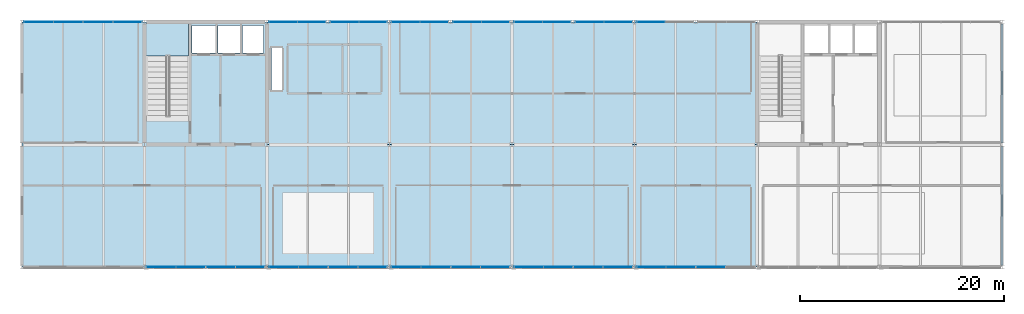
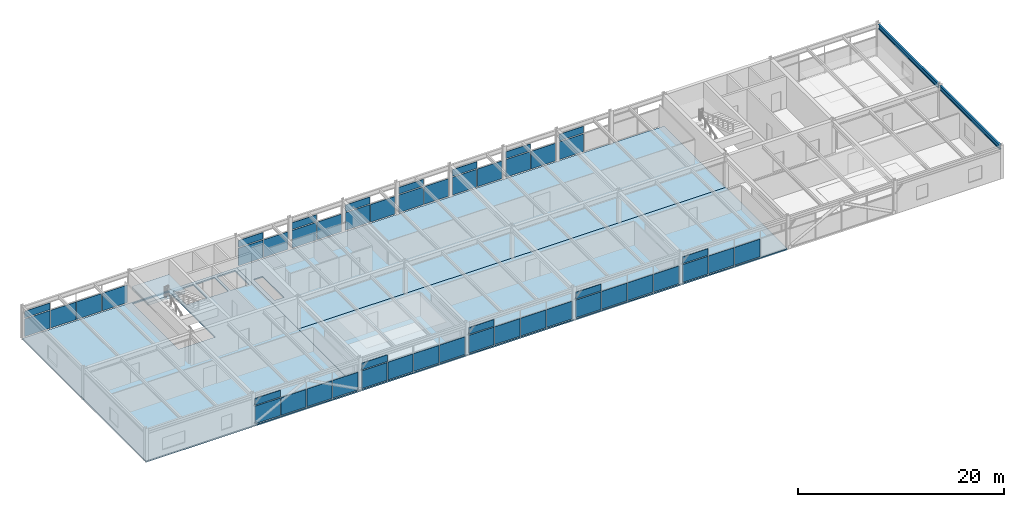
# One storey, part 34 of 40: 49 plates, 4 slabs, 2 beams, 14 elements without a shape of their own.
"""IFC4 building model written with IfcOpenShell, lengths in metres."""

from ifc_helpers import new_model, si_unit, direction, frame, origin, origin_2d, place, context, subcontext, project, spatial, polyline, rectangle, i_section, outline, extrude, material, layer, layer_set, material_profile, profile_set, type_object, element, aggregate, save


model = new_model("IFC4")

# Units and contexts
model_context = context("Model", 3, precision=1e-05, world=origin(), true_north=direction((0.0, 1.0)))
body_context = subcontext(model_context, "Body", "Model", "MODEL_VIEW")
ifc_project = project(units=[si_unit("LENGTHUNIT", "METRE"), si_unit("AREAUNIT", "SQUARE_METRE"), si_unit("VOLUMEUNIT", "CUBIC_METRE"), si_unit("PLANEANGLEUNIT", "RADIAN"), si_unit("MASSUNIT", "GRAM", prefix="KILO")], contexts=[model_context])

# Site, building, storey
site_placement = place(None, origin())
site = spatial("IfcSite", under=ifc_project, at=site_placement, CompositionType="ELEMENT")
building_placement = place(site_placement, origin())
building = spatial("IfcBuilding", under=site, at=building_placement, Name="Girod Span Mobility Hub", CompositionType="ELEMENT")
storey_placement = place(building_placement, frame((0.0, 0.0, 53.60009765625)))
storey = spatial("IfcBuildingStorey", under=building, at=storey_placement, Name="L13", CompositionType="ELEMENT", Elevation=53.60009765625)

# Beams
ifc_material_1 = material(Name="Steel A992 Grade 50", Category="steel")
ifc_material_profile = material_profile(ifc_material_1, i_section(OverallWidth=0.2119140625, OverallDepth=0.5439453125, WebThickness=0.01318359375, FlangeThickness=0.021240234375, FilletRadius=0.014892578125, at=origin_2d()), Name="W21X83")
ifc_profile_set = profile_set([ifc_material_profile], Name="Steel A992 Grade 50")
beam_type = type_object("IfcBeamType", Name="BM-STL-W21X83", PredefinedType="SPANDREL", material=ifc_profile_set)
for number, where, z_axis, x_axis, name in (
    (1, (132.0, 45.175048828125, 3.54296875), (0.0, 1.0, 0.0), (-1.0, 0.0, 0.0), "Tie Girder 12/D-E L13"),
    (2, (132.0, 57.175048828125, 3.54296875), (0.0, 1.0, 0.0), (-1.0, 0.0, 0.0), "Tie Girder 12/E-F L13"),
):
    element("IfcBeam", number, at=place(storey_placement, frame(where, z_axis=z_axis, x_axis=x_axis)), inside=storey, type_object=beam_type, Name=name, PredefinedType="SPANDREL", context=body_context, shape_type="SweptSolid", body=[
        extrude(i_section(OverallWidth=0.2119140625, OverallDepth=0.5439453125, WebThickness=0.01318359375, FlangeThickness=0.021240234375, FilletRadius=0.014892578125, at=origin_2d()), origin(), (0.0, 0.0, 1.0), 11.64990234375),
    ])

# Curtain wall, plate
ifc_material_2 = material(Name="Thermally Broken Anodised Aluminium", Category="aluminium")
curtain_wall_type_1 = type_object("IfcCurtainWallType", Name="CW-562X327", PredefinedType="USERDEFINED", material=ifc_material_2)
curtain_wall_1_placement = place(storey_placement, origin())
curtain_wall_1 = element("IfcCurtainWall", 3, at=curtain_wall_1_placement, inside=storey, type_object=curtain_wall_type_1, Name="Unitised Curtain Wall CW-L13-N06W L13", ObjectType="UNITISED CURTAIN WALL", PredefinedType="USERDEFINED")
ifc_material_3 = material(Name="Double Low-E Insulated Glazing", Category="glass")
ifc_layer_1 = layer(ifc_material_3, 0.048095703125)
ifc_layer_set_1 = layer_set([ifc_layer_1], Name="Double Low-E Insulated Glazing")
plate_type_1 = type_object("IfcPlateType", Name="PLT-SPN-2741X836X48", PredefinedType="CURTAIN_PANEL", material=ifc_layer_set_1)
plate_1_placement = place(storey_placement, frame((61.588134765625, 69.0, 2.35498046875), z_axis=(0.0, 0.0, 1.0), x_axis=(1.0, 0.0, 0.0)))
plate_1 = element("IfcPlate", 4, at=plate_1_placement, type_object=plate_type_1, Name="Spandrel Glazing Panel CW-L13-N06W-S1", PredefinedType="CURTAIN_PANEL", context=body_context, shape_type="SweptSolid", body=[
    extrude(rectangle(XDim=2.747314453125, YDim=0.048095703125, at=origin_2d()), origin(), (0.0, 0.0, 1.0), 0.7958984375),
])

curtain_wall_2_placement = place(storey_placement, origin())
curtain_wall_2 = element("IfcCurtainWall", 5, at=curtain_wall_2_placement, inside=storey, type_object=curtain_wall_type_1, Name="Unitised Curtain Wall CW-L13-N06E L13", ObjectType="UNITISED CURTAIN WALL", PredefinedType="USERDEFINED")
plate_2_placement = place(storey_placement, frame((67.6005859375, 69.0, 2.35498046875), z_axis=(0.0, 0.0, 1.0), x_axis=(1.0, 0.0, 0.0)))
plate_2 = element("IfcPlate", 6, at=plate_2_placement, type_object=plate_type_1, Name="Spandrel Glazing Panel CW-L13-N06E-S1", PredefinedType="CURTAIN_PANEL", context=body_context, shape_type="SweptSolid", body=[
    extrude(rectangle(XDim=2.747314453125, YDim=0.048095703125, at=origin_2d()), origin(), (0.0, 0.0, 1.0), 0.7958984375),
])

curtain_wall_3_placement = place(storey_placement, origin())
curtain_wall_3 = element("IfcCurtainWall", 7, at=curtain_wall_3_placement, inside=storey, type_object=curtain_wall_type_1, Name="Unitised Curtain Wall CW-L13-N07W L13", ObjectType="UNITISED CURTAIN WALL", PredefinedType="USERDEFINED")
plate_3_placement = place(storey_placement, frame((73.588134765625, 69.0, 2.35498046875), z_axis=(0.0, 0.0, 1.0), x_axis=(1.0, 0.0, 0.0)))
plate_3 = element("IfcPlate", 8, at=plate_3_placement, type_object=plate_type_1, Name="Spandrel Glazing Panel CW-L13-N07W-S1", PredefinedType="CURTAIN_PANEL", context=body_context, shape_type="SweptSolid", body=[
    extrude(rectangle(XDim=2.747314453125, YDim=0.048095703125, at=origin_2d()), origin(), (0.0, 0.0, 1.0), 0.7958984375),
])

curtain_wall_4_placement = place(storey_placement, origin())
curtain_wall_4 = element("IfcCurtainWall", 9, at=curtain_wall_4_placement, inside=storey, type_object=curtain_wall_type_1, Name="Unitised Curtain Wall CW-L13-N07E L13", ObjectType="UNITISED CURTAIN WALL", PredefinedType="USERDEFINED")
plate_4_placement = place(storey_placement, frame((79.6005859375, 69.0, 2.35498046875), z_axis=(0.0, 0.0, 1.0), x_axis=(1.0, 0.0, 0.0)))
plate_4 = element("IfcPlate", 10, at=plate_4_placement, type_object=plate_type_1, Name="Spandrel Glazing Panel CW-L13-N07E-S1", PredefinedType="CURTAIN_PANEL", context=body_context, shape_type="SweptSolid", body=[
    extrude(rectangle(XDim=2.747314453125, YDim=0.048095703125, at=origin_2d()), origin(), (0.0, 0.0, 1.0), 0.7958984375),
])

curtain_wall_5_placement = place(storey_placement, origin())
curtain_wall_5 = element("IfcCurtainWall", 11, at=curtain_wall_5_placement, inside=storey, type_object=curtain_wall_type_1, Name="Unitised Curtain Wall CW-L13-N08W L13", ObjectType="UNITISED CURTAIN WALL", PredefinedType="USERDEFINED")
plate_5_placement = place(storey_placement, frame((85.588134765625, 69.0, 2.35498046875), z_axis=(0.0, 0.0, 1.0), x_axis=(1.0, 0.0, 0.0)))
plate_5 = element("IfcPlate", 12, at=plate_5_placement, type_object=plate_type_1, Name="Spandrel Glazing Panel CW-L13-N08W-S1", PredefinedType="CURTAIN_PANEL", context=body_context, shape_type="SweptSolid", body=[
    extrude(rectangle(XDim=2.747314453125, YDim=0.048095703125, at=origin_2d()), origin(), (0.0, 0.0, 1.0), 0.7958984375),
])

curtain_wall_6_placement = place(storey_placement, origin())
curtain_wall_6 = element("IfcCurtainWall", 13, at=curtain_wall_6_placement, inside=storey, type_object=curtain_wall_type_1, Name="Unitised Curtain Wall CW-L13-N08E L13", ObjectType="UNITISED CURTAIN WALL", PredefinedType="USERDEFINED")
plate_6_placement = place(storey_placement, frame((91.6005859375, 69.0, 2.35498046875), z_axis=(0.0, 0.0, 1.0), x_axis=(1.0, 0.0, 0.0)))
plate_6 = element("IfcPlate", 14, at=plate_6_placement, type_object=plate_type_1, Name="Spandrel Glazing Panel CW-L13-N08E-S1", PredefinedType="CURTAIN_PANEL", context=body_context, shape_type="SweptSolid", body=[
    extrude(rectangle(XDim=2.747314453125, YDim=0.048095703125, at=origin_2d()), origin(), (0.0, 0.0, 1.0), 0.7958984375),
])

curtain_wall_7_placement = place(storey_placement, origin())
curtain_wall_7 = element("IfcCurtainWall", 15, at=curtain_wall_7_placement, inside=storey, type_object=curtain_wall_type_1, Name="Unitised Curtain Wall CW-L13-N09W L13", ObjectType="UNITISED CURTAIN WALL", PredefinedType="USERDEFINED")
plate_7_placement = place(storey_placement, frame((97.588134765625, 69.0, 2.35498046875), z_axis=(0.0, 0.0, 1.0), x_axis=(1.0, 0.0, 0.0)))
plate_7 = element("IfcPlate", 16, at=plate_7_placement, type_object=plate_type_1, Name="Spandrel Glazing Panel CW-L13-N09W-S1", PredefinedType="CURTAIN_PANEL", context=body_context, shape_type="SweptSolid", body=[
    extrude(rectangle(XDim=2.747314453125, YDim=0.048095703125, at=origin_2d()), origin(), (0.0, 0.0, 1.0), 0.7958984375),
])

ifc_material_4 = material(Name="Thermally Broken Anodised Aluminium", Category="aluminium")
curtain_wall_type_2 = type_object("IfcCurtainWallType", Name="CW-1164X327", PredefinedType="USERDEFINED", material=ifc_material_4)
curtain_wall_8_placement = place(storey_placement, origin())
curtain_wall_8 = element("IfcCurtainWall", 17, at=curtain_wall_8_placement, inside=storey, type_object=curtain_wall_type_2, Name="Unitised Curtain Wall CW-L13-S05 L13", ObjectType="UNITISED CURTAIN WALL", PredefinedType="USERDEFINED")
ifc_material_5 = material(Name="Double Low-E Insulated Glazing", Category="glass")
ifc_layer_2 = layer(ifc_material_5, 0.048095703125)
ifc_layer_set_2 = layer_set([ifc_layer_2], Name="Double Low-E Insulated Glazing")
plate_type_2 = type_object("IfcPlateType", Name="PLT-SPN-2839X836X48", PredefinedType="CURTAIN_PANEL", material=ifc_layer_set_2)
plate_8_placement = place(storey_placement, frame((49.636962890625, 45.0, 2.35498046875), z_axis=(0.0, 0.0, 1.0), x_axis=(1.0, 0.0, 0.0)))
plate_8 = element("IfcPlate", 18, at=plate_8_placement, type_object=plate_type_2, Name="Spandrel Glazing Panel CW-L13-S05-S1", PredefinedType="CURTAIN_PANEL", context=body_context, shape_type="SweptSolid", body=[
    extrude(rectangle(XDim=2.8447265625, YDim=0.048095703125, at=origin_2d()), origin(), (0.0, 0.0, 1.0), 0.7958984375),
])

curtain_wall_9_placement = place(storey_placement, origin())
curtain_wall_9 = element("IfcCurtainWall", 19, at=curtain_wall_9_placement, inside=storey, type_object=curtain_wall_type_2, Name="Unitised Curtain Wall CW-L13-S06 L13", ObjectType="UNITISED CURTAIN WALL", PredefinedType="USERDEFINED")
plate_9_placement = place(storey_placement, frame((61.636962890625, 45.0, 2.35498046875), z_axis=(0.0, 0.0, 1.0), x_axis=(1.0, 0.0, 0.0)))
plate_9 = element("IfcPlate", 20, at=plate_9_placement, type_object=plate_type_2, Name="Spandrel Glazing Panel CW-L13-S06-S1", PredefinedType="CURTAIN_PANEL", context=body_context, shape_type="SweptSolid", body=[
    extrude(rectangle(XDim=2.8447265625, YDim=0.048095703125, at=origin_2d()), origin(), (0.0, 0.0, 1.0), 0.7958984375),
])

curtain_wall_10_placement = place(storey_placement, origin())
curtain_wall_10 = element("IfcCurtainWall", 21, at=curtain_wall_10_placement, inside=storey, type_object=curtain_wall_type_2, Name="Unitised Curtain Wall CW-L13-S07 L13", ObjectType="UNITISED CURTAIN WALL", PredefinedType="USERDEFINED")
plate_10_placement = place(storey_placement, frame((73.636962890625, 45.0, 2.35498046875), z_axis=(0.0, 0.0, 1.0), x_axis=(1.0, 0.0, 0.0)))
plate_10 = element("IfcPlate", 22, at=plate_10_placement, type_object=plate_type_2, Name="Spandrel Glazing Panel CW-L13-S07-S1", PredefinedType="CURTAIN_PANEL", context=body_context, shape_type="SweptSolid", body=[
    extrude(rectangle(XDim=2.8447265625, YDim=0.048095703125, at=origin_2d()), origin(), (0.0, 0.0, 1.0), 0.7958984375),
])

curtain_wall_11_placement = place(storey_placement, origin())
curtain_wall_11 = element("IfcCurtainWall", 23, at=curtain_wall_11_placement, inside=storey, type_object=curtain_wall_type_2, Name="Unitised Curtain Wall CW-L13-S08 L13", ObjectType="UNITISED CURTAIN WALL", PredefinedType="USERDEFINED")
plate_11_placement = place(storey_placement, frame((85.636962890625, 45.0, 2.35498046875), z_axis=(0.0, 0.0, 1.0), x_axis=(1.0, 0.0, 0.0)))
plate_11 = element("IfcPlate", 24, at=plate_11_placement, type_object=plate_type_2, Name="Spandrel Glazing Panel CW-L13-S08-S1", PredefinedType="CURTAIN_PANEL", context=body_context, shape_type="SweptSolid", body=[
    extrude(rectangle(XDim=2.8447265625, YDim=0.048095703125, at=origin_2d()), origin(), (0.0, 0.0, 1.0), 0.7958984375),
])

curtain_wall_12_placement = place(storey_placement, origin())
curtain_wall_12 = element("IfcCurtainWall", 25, at=curtain_wall_12_placement, inside=storey, type_object=curtain_wall_type_2, Name="Unitised Curtain Wall CW-L13-S09 L13", ObjectType="UNITISED CURTAIN WALL", PredefinedType="USERDEFINED")
plate_12_placement = place(storey_placement, frame((97.636962890625, 45.0, 2.35498046875), z_axis=(0.0, 0.0, 1.0), x_axis=(1.0, 0.0, 0.0)))
plate_12 = element("IfcPlate", 26, at=plate_12_placement, type_object=plate_type_2, Name="Spandrel Glazing Panel CW-L13-S09-S1", PredefinedType="CURTAIN_PANEL", context=body_context, shape_type="SweptSolid", body=[
    extrude(rectangle(XDim=2.8447265625, YDim=0.048095703125, at=origin_2d()), origin(), (0.0, 0.0, 1.0), 0.7958984375),
])

curtain_wall_13_placement = place(storey_placement, origin())
curtain_wall_13 = element("IfcCurtainWall", 27, at=curtain_wall_13_placement, inside=storey, type_object=curtain_wall_type_2, Name="Unitised Curtain Wall CW-L13-N04 L13", ObjectType="UNITISED CURTAIN WALL", PredefinedType="USERDEFINED")
plate_13_placement = place(storey_placement, frame((37.636962890625, 69.0, 2.35498046875), z_axis=(0.0, 0.0, 1.0), x_axis=(1.0, 0.0, 0.0)))
plate_13 = element("IfcPlate", 28, at=plate_13_placement, type_object=plate_type_2, Name="Spandrel Glazing Panel CW-L13-N04-S1", PredefinedType="CURTAIN_PANEL", context=body_context, shape_type="SweptSolid", body=[
    extrude(rectangle(XDim=2.8447265625, YDim=0.048095703125, at=origin_2d()), origin(), (0.0, 0.0, 1.0), 0.7958984375),
])

# Plate
ifc_material_6 = material(Name="Double Low-E Insulated Glazing", Category="glass")
ifc_layer_3 = layer(ifc_material_6, 0.035888671875)
ifc_layer_set_3 = layer_set([ifc_layer_3], Name="Double Low-E Insulated Glazing")
plate_type_3 = type_object("IfcPlateType", Name="PLT-VIS-2741X2355X36", PredefinedType="CURTAIN_PANEL", material=ifc_layer_set_3)
plate_14_placement = place(storey_placement, frame((61.588134765625, 69.0, 0.139892578125), z_axis=(0.0, 0.0, 1.0), x_axis=(1.0, 0.0, 0.0)))
plate_14 = element("IfcPlate", 29, at=plate_14_placement, type_object=plate_type_3, Name="Vision Glazing Panel CW-L13-N06W-V1", PredefinedType="CURTAIN_PANEL", context=body_context, shape_type="SweptSolid", body=[
    extrude(rectangle(XDim=2.747314453125, YDim=0.035888671875, at=origin_2d()), origin(), (0.0, 0.0, 1.0), 2.09521484375),
])

plate_15_placement = place(storey_placement, frame((64.3994140625, 69.0, 0.139892578125), z_axis=(0.0, 0.0, 1.0), x_axis=(1.0, 0.0, 0.0)))
plate_15 = element("IfcPlate", 30, at=plate_15_placement, type_object=plate_type_3, Name="Vision Glazing Panel CW-L13-N06W-V2", PredefinedType="CURTAIN_PANEL", context=body_context, shape_type="SweptSolid", body=[
    extrude(rectangle(XDim=2.747314453125, YDim=0.035888671875, at=origin_2d()), origin(), (0.0, 0.0, 1.0), 2.09521484375),
])

aggregate(curtain_wall_1, [plate_14, plate_1, plate_15])

plate_16_placement = place(storey_placement, frame((67.6005859375, 69.0, 0.139892578125), z_axis=(0.0, 0.0, 1.0), x_axis=(1.0, 0.0, 0.0)))
plate_16 = element("IfcPlate", 31, at=plate_16_placement, type_object=plate_type_3, Name="Vision Glazing Panel CW-L13-N06E-V1", PredefinedType="CURTAIN_PANEL", context=body_context, shape_type="SweptSolid", body=[
    extrude(rectangle(XDim=2.747314453125, YDim=0.035888671875, at=origin_2d()), origin(), (0.0, 0.0, 1.0), 2.09521484375),
])

plate_17_placement = place(storey_placement, frame((70.411865234375, 69.0, 0.139892578125), z_axis=(0.0, 0.0, 1.0), x_axis=(1.0, 0.0, 0.0)))
plate_17 = element("IfcPlate", 32, at=plate_17_placement, type_object=plate_type_3, Name="Vision Glazing Panel CW-L13-N06E-V2", PredefinedType="CURTAIN_PANEL", context=body_context, shape_type="SweptSolid", body=[
    extrude(rectangle(XDim=2.747314453125, YDim=0.035888671875, at=origin_2d()), origin(), (0.0, 0.0, 1.0), 2.09521484375),
])

aggregate(curtain_wall_2, [plate_16, plate_2, plate_17])

plate_18_placement = place(storey_placement, frame((73.588134765625, 69.0, 0.139892578125), z_axis=(0.0, 0.0, 1.0), x_axis=(1.0, 0.0, 0.0)))
plate_18 = element("IfcPlate", 33, at=plate_18_placement, type_object=plate_type_3, Name="Vision Glazing Panel CW-L13-N07W-V1", PredefinedType="CURTAIN_PANEL", context=body_context, shape_type="SweptSolid", body=[
    extrude(rectangle(XDim=2.747314453125, YDim=0.035888671875, at=origin_2d()), origin(), (0.0, 0.0, 1.0), 2.09521484375),
])

plate_19_placement = place(storey_placement, frame((76.3994140625, 69.0, 0.139892578125), z_axis=(0.0, 0.0, 1.0), x_axis=(1.0, 0.0, 0.0)))
plate_19 = element("IfcPlate", 34, at=plate_19_placement, type_object=plate_type_3, Name="Vision Glazing Panel CW-L13-N07W-V2", PredefinedType="CURTAIN_PANEL", context=body_context, shape_type="SweptSolid", body=[
    extrude(rectangle(XDim=2.747314453125, YDim=0.035888671875, at=origin_2d()), origin(), (0.0, 0.0, 1.0), 2.09521484375),
])

aggregate(curtain_wall_3, [plate_18, plate_3, plate_19])

plate_20_placement = place(storey_placement, frame((79.6005859375, 69.0, 0.139892578125), z_axis=(0.0, 0.0, 1.0), x_axis=(1.0, 0.0, 0.0)))
plate_20 = element("IfcPlate", 35, at=plate_20_placement, type_object=plate_type_3, Name="Vision Glazing Panel CW-L13-N07E-V1", PredefinedType="CURTAIN_PANEL", context=body_context, shape_type="SweptSolid", body=[
    extrude(rectangle(XDim=2.747314453125, YDim=0.035888671875, at=origin_2d()), origin(), (0.0, 0.0, 1.0), 2.09521484375),
])

plate_21_placement = place(storey_placement, frame((82.411865234375, 69.0, 0.139892578125), z_axis=(0.0, 0.0, 1.0), x_axis=(1.0, 0.0, 0.0)))
plate_21 = element("IfcPlate", 36, at=plate_21_placement, type_object=plate_type_3, Name="Vision Glazing Panel CW-L13-N07E-V2", PredefinedType="CURTAIN_PANEL", context=body_context, shape_type="SweptSolid", body=[
    extrude(rectangle(XDim=2.747314453125, YDim=0.035888671875, at=origin_2d()), origin(), (0.0, 0.0, 1.0), 2.09521484375),
])

aggregate(curtain_wall_4, [plate_20, plate_4, plate_21])

plate_22_placement = place(storey_placement, frame((85.588134765625, 69.0, 0.139892578125), z_axis=(0.0, 0.0, 1.0), x_axis=(1.0, 0.0, 0.0)))
plate_22 = element("IfcPlate", 37, at=plate_22_placement, type_object=plate_type_3, Name="Vision Glazing Panel CW-L13-N08W-V1", PredefinedType="CURTAIN_PANEL", context=body_context, shape_type="SweptSolid", body=[
    extrude(rectangle(XDim=2.747314453125, YDim=0.035888671875, at=origin_2d()), origin(), (0.0, 0.0, 1.0), 2.09521484375),
])

plate_23_placement = place(storey_placement, frame((88.3994140625, 69.0, 0.139892578125), z_axis=(0.0, 0.0, 1.0), x_axis=(1.0, 0.0, 0.0)))
plate_23 = element("IfcPlate", 38, at=plate_23_placement, type_object=plate_type_3, Name="Vision Glazing Panel CW-L13-N08W-V2", PredefinedType="CURTAIN_PANEL", context=body_context, shape_type="SweptSolid", body=[
    extrude(rectangle(XDim=2.747314453125, YDim=0.035888671875, at=origin_2d()), origin(), (0.0, 0.0, 1.0), 2.09521484375),
])

aggregate(curtain_wall_5, [plate_22, plate_5, plate_23])

plate_24_placement = place(storey_placement, frame((91.6005859375, 69.0, 0.139892578125), z_axis=(0.0, 0.0, 1.0), x_axis=(1.0, 0.0, 0.0)))
plate_24 = element("IfcPlate", 39, at=plate_24_placement, type_object=plate_type_3, Name="Vision Glazing Panel CW-L13-N08E-V1", PredefinedType="CURTAIN_PANEL", context=body_context, shape_type="SweptSolid", body=[
    extrude(rectangle(XDim=2.747314453125, YDim=0.035888671875, at=origin_2d()), origin(), (0.0, 0.0, 1.0), 2.09521484375),
])

plate_25_placement = place(storey_placement, frame((94.411865234375, 69.0, 0.139892578125), z_axis=(0.0, 0.0, 1.0), x_axis=(1.0, 0.0, 0.0)))
plate_25 = element("IfcPlate", 40, at=plate_25_placement, type_object=plate_type_3, Name="Vision Glazing Panel CW-L13-N08E-V2", PredefinedType="CURTAIN_PANEL", context=body_context, shape_type="SweptSolid", body=[
    extrude(rectangle(XDim=2.747314453125, YDim=0.035888671875, at=origin_2d()), origin(), (0.0, 0.0, 1.0), 2.09521484375),
])

aggregate(curtain_wall_6, [plate_24, plate_6, plate_25])

plate_26_placement = place(storey_placement, frame((97.588134765625, 69.0, 0.139892578125), z_axis=(0.0, 0.0, 1.0), x_axis=(1.0, 0.0, 0.0)))
plate_26 = element("IfcPlate", 41, at=plate_26_placement, type_object=plate_type_3, Name="Vision Glazing Panel CW-L13-N09W-V1", PredefinedType="CURTAIN_PANEL", context=body_context, shape_type="SweptSolid", body=[
    extrude(rectangle(XDim=2.747314453125, YDim=0.035888671875, at=origin_2d()), origin(), (0.0, 0.0, 1.0), 2.09521484375),
])

aggregate(curtain_wall_7, [plate_26, plate_7])

ifc_material_7 = material(Name="Double Low-E Insulated Glazing", Category="glass")
ifc_layer_4 = layer(ifc_material_7, 0.035888671875)
ifc_layer_set_4 = layer_set([ifc_layer_4], Name="Double Low-E Insulated Glazing")
plate_type_4 = type_object("IfcPlateType", Name="PLT-VIS-2839X2355X36", PredefinedType="CURTAIN_PANEL", material=ifc_layer_set_4)
plate_27_placement = place(storey_placement, frame((49.636962890625, 45.0, 0.139892578125), z_axis=(0.0, 0.0, 1.0), x_axis=(1.0, 0.0, 0.0)))
plate_27 = element("IfcPlate", 42, at=plate_27_placement, type_object=plate_type_4, Name="Vision Glazing Panel CW-L13-S05-V1", PredefinedType="CURTAIN_PANEL", context=body_context, shape_type="SweptSolid", body=[
    extrude(rectangle(XDim=2.8447265625, YDim=0.035888671875, at=origin_2d()), origin(), (0.0, 0.0, 1.0), 2.09521484375),
])

plate_28_placement = place(storey_placement, frame((52.545654296875, 45.0, 0.139892578125), z_axis=(0.0, 0.0, 1.0), x_axis=(1.0, 0.0, 0.0)))
plate_28 = element("IfcPlate", 43, at=plate_28_placement, type_object=plate_type_4, Name="Vision Glazing Panel CW-L13-S05-V2", PredefinedType="CURTAIN_PANEL", context=body_context, shape_type="SweptSolid", body=[
    extrude(rectangle(XDim=2.8447265625, YDim=0.035888671875, at=origin_2d()), origin(), (0.0, 0.0, 1.0), 2.09521484375),
])

plate_29_placement = place(storey_placement, frame((55.454345703125, 45.0, 0.139892578125), z_axis=(0.0, 0.0, 1.0), x_axis=(1.0, 0.0, 0.0)))
plate_29 = element("IfcPlate", 44, at=plate_29_placement, type_object=plate_type_4, Name="Vision Glazing Panel CW-L13-S05-V3", PredefinedType="CURTAIN_PANEL", context=body_context, shape_type="SweptSolid", body=[
    extrude(rectangle(XDim=2.8447265625, YDim=0.035888671875, at=origin_2d()), origin(), (0.0, 0.0, 1.0), 2.09521484375),
])

plate_30_placement = place(storey_placement, frame((58.363037109375, 45.0, 0.139892578125), z_axis=(0.0, 0.0, 1.0), x_axis=(1.0, 0.0, 0.0)))
plate_30 = element("IfcPlate", 45, at=plate_30_placement, type_object=plate_type_4, Name="Vision Glazing Panel CW-L13-S05-V4", PredefinedType="CURTAIN_PANEL", context=body_context, shape_type="SweptSolid", body=[
    extrude(rectangle(XDim=2.8447265625, YDim=0.035888671875, at=origin_2d()), origin(), (0.0, 0.0, 1.0), 2.09521484375),
])

aggregate(curtain_wall_8, [plate_27, plate_8, plate_28, plate_29, plate_30])

plate_31_placement = place(storey_placement, frame((61.636962890625, 45.0, 0.139892578125), z_axis=(0.0, 0.0, 1.0), x_axis=(1.0, 0.0, 0.0)))
plate_31 = element("IfcPlate", 46, at=plate_31_placement, type_object=plate_type_4, Name="Vision Glazing Panel CW-L13-S06-V1", PredefinedType="CURTAIN_PANEL", context=body_context, shape_type="SweptSolid", body=[
    extrude(rectangle(XDim=2.8447265625, YDim=0.035888671875, at=origin_2d()), origin(), (0.0, 0.0, 1.0), 2.09521484375),
])

plate_32_placement = place(storey_placement, frame((64.545654296875, 45.0, 0.139892578125), z_axis=(0.0, 0.0, 1.0), x_axis=(1.0, 0.0, 0.0)))
plate_32 = element("IfcPlate", 47, at=plate_32_placement, type_object=plate_type_4, Name="Vision Glazing Panel CW-L13-S06-V2", PredefinedType="CURTAIN_PANEL", context=body_context, shape_type="SweptSolid", body=[
    extrude(rectangle(XDim=2.8447265625, YDim=0.035888671875, at=origin_2d()), origin(), (0.0, 0.0, 1.0), 2.09521484375),
])

plate_33_placement = place(storey_placement, frame((67.454345703125, 45.0, 0.139892578125), z_axis=(0.0, 0.0, 1.0), x_axis=(1.0, 0.0, 0.0)))
plate_33 = element("IfcPlate", 48, at=plate_33_placement, type_object=plate_type_4, Name="Vision Glazing Panel CW-L13-S06-V3", PredefinedType="CURTAIN_PANEL", context=body_context, shape_type="SweptSolid", body=[
    extrude(rectangle(XDim=2.8447265625, YDim=0.035888671875, at=origin_2d()), origin(), (0.0, 0.0, 1.0), 2.09521484375),
])

plate_34_placement = place(storey_placement, frame((70.363037109375, 45.0, 0.139892578125), z_axis=(0.0, 0.0, 1.0), x_axis=(1.0, 0.0, 0.0)))
plate_34 = element("IfcPlate", 49, at=plate_34_placement, type_object=plate_type_4, Name="Vision Glazing Panel CW-L13-S06-V4", PredefinedType="CURTAIN_PANEL", context=body_context, shape_type="SweptSolid", body=[
    extrude(rectangle(XDim=2.8447265625, YDim=0.035888671875, at=origin_2d()), origin(), (0.0, 0.0, 1.0), 2.09521484375),
])

aggregate(curtain_wall_9, [plate_31, plate_9, plate_32, plate_33, plate_34])

plate_35_placement = place(storey_placement, frame((73.636962890625, 45.0, 0.139892578125), z_axis=(0.0, 0.0, 1.0), x_axis=(1.0, 0.0, 0.0)))
plate_35 = element("IfcPlate", 50, at=plate_35_placement, type_object=plate_type_4, Name="Vision Glazing Panel CW-L13-S07-V1", PredefinedType="CURTAIN_PANEL", context=body_context, shape_type="SweptSolid", body=[
    extrude(rectangle(XDim=2.8447265625, YDim=0.035888671875, at=origin_2d()), origin(), (0.0, 0.0, 1.0), 2.09521484375),
])

plate_36_placement = place(storey_placement, frame((76.545654296875, 45.0, 0.139892578125), z_axis=(0.0, 0.0, 1.0), x_axis=(1.0, 0.0, 0.0)))
plate_36 = element("IfcPlate", 51, at=plate_36_placement, type_object=plate_type_4, Name="Vision Glazing Panel CW-L13-S07-V2", PredefinedType="CURTAIN_PANEL", context=body_context, shape_type="SweptSolid", body=[
    extrude(rectangle(XDim=2.8447265625, YDim=0.035888671875, at=origin_2d()), origin(), (0.0, 0.0, 1.0), 2.09521484375),
])

plate_37_placement = place(storey_placement, frame((79.454345703125, 45.0, 0.139892578125), z_axis=(0.0, 0.0, 1.0), x_axis=(1.0, 0.0, 0.0)))
plate_37 = element("IfcPlate", 52, at=plate_37_placement, type_object=plate_type_4, Name="Vision Glazing Panel CW-L13-S07-V3", PredefinedType="CURTAIN_PANEL", context=body_context, shape_type="SweptSolid", body=[
    extrude(rectangle(XDim=2.8447265625, YDim=0.035888671875, at=origin_2d()), origin(), (0.0, 0.0, 1.0), 2.09521484375),
])

plate_38_placement = place(storey_placement, frame((82.363037109375, 45.0, 0.139892578125), z_axis=(0.0, 0.0, 1.0), x_axis=(1.0, 0.0, 0.0)))
plate_38 = element("IfcPlate", 53, at=plate_38_placement, type_object=plate_type_4, Name="Vision Glazing Panel CW-L13-S07-V4", PredefinedType="CURTAIN_PANEL", context=body_context, shape_type="SweptSolid", body=[
    extrude(rectangle(XDim=2.8447265625, YDim=0.035888671875, at=origin_2d()), origin(), (0.0, 0.0, 1.0), 2.09521484375),
])

aggregate(curtain_wall_10, [plate_35, plate_10, plate_36, plate_37, plate_38])

plate_39_placement = place(storey_placement, frame((85.636962890625, 45.0, 0.139892578125), z_axis=(0.0, 0.0, 1.0), x_axis=(1.0, 0.0, 0.0)))
plate_39 = element("IfcPlate", 54, at=plate_39_placement, type_object=plate_type_4, Name="Vision Glazing Panel CW-L13-S08-V1", PredefinedType="CURTAIN_PANEL", context=body_context, shape_type="SweptSolid", body=[
    extrude(rectangle(XDim=2.8447265625, YDim=0.035888671875, at=origin_2d()), origin(), (0.0, 0.0, 1.0), 2.09521484375),
])

plate_40_placement = place(storey_placement, frame((88.545654296875, 45.0, 0.139892578125), z_axis=(0.0, 0.0, 1.0), x_axis=(1.0, 0.0, 0.0)))
plate_40 = element("IfcPlate", 55, at=plate_40_placement, type_object=plate_type_4, Name="Vision Glazing Panel CW-L13-S08-V2", PredefinedType="CURTAIN_PANEL", context=body_context, shape_type="SweptSolid", body=[
    extrude(rectangle(XDim=2.8447265625, YDim=0.035888671875, at=origin_2d()), origin(), (0.0, 0.0, 1.0), 2.09521484375),
])

plate_41_placement = place(storey_placement, frame((91.454345703125, 45.0, 0.139892578125), z_axis=(0.0, 0.0, 1.0), x_axis=(1.0, 0.0, 0.0)))
plate_41 = element("IfcPlate", 56, at=plate_41_placement, type_object=plate_type_4, Name="Vision Glazing Panel CW-L13-S08-V3", PredefinedType="CURTAIN_PANEL", context=body_context, shape_type="SweptSolid", body=[
    extrude(rectangle(XDim=2.8447265625, YDim=0.035888671875, at=origin_2d()), origin(), (0.0, 0.0, 1.0), 2.09521484375),
])

plate_42_placement = place(storey_placement, frame((94.363037109375, 45.0, 0.139892578125), z_axis=(0.0, 0.0, 1.0), x_axis=(1.0, 0.0, 0.0)))
plate_42 = element("IfcPlate", 57, at=plate_42_placement, type_object=plate_type_4, Name="Vision Glazing Panel CW-L13-S08-V4", PredefinedType="CURTAIN_PANEL", context=body_context, shape_type="SweptSolid", body=[
    extrude(rectangle(XDim=2.8447265625, YDim=0.035888671875, at=origin_2d()), origin(), (0.0, 0.0, 1.0), 2.09521484375),
])

aggregate(curtain_wall_11, [plate_39, plate_11, plate_40, plate_41, plate_42])

plate_43_placement = place(storey_placement, frame((97.636962890625, 45.0, 0.139892578125), z_axis=(0.0, 0.0, 1.0), x_axis=(1.0, 0.0, 0.0)))
plate_43 = element("IfcPlate", 58, at=plate_43_placement, type_object=plate_type_4, Name="Vision Glazing Panel CW-L13-S09-V1", PredefinedType="CURTAIN_PANEL", context=body_context, shape_type="SweptSolid", body=[
    extrude(rectangle(XDim=2.8447265625, YDim=0.035888671875, at=origin_2d()), origin(), (0.0, 0.0, 1.0), 2.09521484375),
])

plate_44_placement = place(storey_placement, frame((100.545654296875, 45.0, 0.139892578125), z_axis=(0.0, 0.0, 1.0), x_axis=(1.0, 0.0, 0.0)))
plate_44 = element("IfcPlate", 59, at=plate_44_placement, type_object=plate_type_4, Name="Vision Glazing Panel CW-L13-S09-V2", PredefinedType="CURTAIN_PANEL", context=body_context, shape_type="SweptSolid", body=[
    extrude(rectangle(XDim=2.8447265625, YDim=0.035888671875, at=origin_2d()), origin(), (0.0, 0.0, 1.0), 2.09521484375),
])

plate_45_placement = place(storey_placement, frame((103.454345703125, 45.0, 0.139892578125), z_axis=(0.0, 0.0, 1.0), x_axis=(1.0, 0.0, 0.0)))
plate_45 = element("IfcPlate", 60, at=plate_45_placement, type_object=plate_type_4, Name="Vision Glazing Panel CW-L13-S09-V3", PredefinedType="CURTAIN_PANEL", context=body_context, shape_type="SweptSolid", body=[
    extrude(rectangle(XDim=2.8447265625, YDim=0.035888671875, at=origin_2d()), origin(), (0.0, 0.0, 1.0), 2.09521484375),
])

aggregate(curtain_wall_12, [plate_43, plate_12, plate_44, plate_45])

plate_46_placement = place(storey_placement, frame((37.636962890625, 69.0, 0.139892578125), z_axis=(0.0, 0.0, 1.0), x_axis=(1.0, 0.0, 0.0)))
plate_46 = element("IfcPlate", 61, at=plate_46_placement, type_object=plate_type_4, Name="Vision Glazing Panel CW-L13-N04-V1", PredefinedType="CURTAIN_PANEL", context=body_context, shape_type="SweptSolid", body=[
    extrude(rectangle(XDim=2.8447265625, YDim=0.035888671875, at=origin_2d()), origin(), (0.0, 0.0, 1.0), 2.09521484375),
])

plate_47_placement = place(storey_placement, frame((40.545654296875, 69.0, 0.139892578125), z_axis=(0.0, 0.0, 1.0), x_axis=(1.0, 0.0, 0.0)))
plate_47 = element("IfcPlate", 62, at=plate_47_placement, type_object=plate_type_4, Name="Vision Glazing Panel CW-L13-N04-V2", PredefinedType="CURTAIN_PANEL", context=body_context, shape_type="SweptSolid", body=[
    extrude(rectangle(XDim=2.8447265625, YDim=0.035888671875, at=origin_2d()), origin(), (0.0, 0.0, 1.0), 2.09521484375),
])

plate_48_placement = place(storey_placement, frame((43.454345703125, 69.0, 0.139892578125), z_axis=(0.0, 0.0, 1.0), x_axis=(1.0, 0.0, 0.0)))
plate_48 = element("IfcPlate", 63, at=plate_48_placement, type_object=plate_type_4, Name="Vision Glazing Panel CW-L13-N04-V3", PredefinedType="CURTAIN_PANEL", context=body_context, shape_type="SweptSolid", body=[
    extrude(rectangle(XDim=2.8447265625, YDim=0.035888671875, at=origin_2d()), origin(), (0.0, 0.0, 1.0), 2.09521484375),
])

plate_49_placement = place(storey_placement, frame((46.363037109375, 69.0, 0.139892578125), z_axis=(0.0, 0.0, 1.0), x_axis=(1.0, 0.0, 0.0)))
plate_49 = element("IfcPlate", 64, at=plate_49_placement, type_object=plate_type_4, Name="Vision Glazing Panel CW-L13-N04-V4", PredefinedType="CURTAIN_PANEL", context=body_context, shape_type="SweptSolid", body=[
    extrude(rectangle(XDim=2.8447265625, YDim=0.035888671875, at=origin_2d()), origin(), (0.0, 0.0, 1.0), 2.09521484375),
])

aggregate(curtain_wall_13, [plate_46, plate_13, plate_47, plate_48, plate_49])

# Slabs
ifc_material_8 = material(Name="Concrete C40/50", Category="concrete")
ifc_layer_5 = layer(ifc_material_8, 0.155029296875)
ifc_layer_set_5 = layer_set([ifc_layer_5], Name="Concrete C40/50")
slab_type_1 = type_object("IfcSlabType", Name="SL-FLR-155", PredefinedType="FLOOR", material=ifc_layer_set_5)
slab_1_placement = place(storey_placement, frame((0.0, 0.0, -0.155029296875)))
element("IfcSlab", 65, at=slab_1_placement, inside=storey, type_object=slab_type_1, Name="Floor Slab L13 Sector W", PredefinedType="FLOOR", context=body_context, shape_type="SweptSolid", body=[
    extrude(outline(polyline([(36.0, 69.0), (60.0, 69.0), (60.0, 45.0), (36.0, 45.0), (36.0, 69.0)]), holes=[polyline([(48.219970703125, 59.8349609375), (52.340087890625, 59.8349609375), (52.340087890625, 68.820068359375), (48.219970703125, 68.820068359375), (48.219970703125, 59.8349609375)]), polyline([(52.64990234375, 65.949951171875), (54.949951171875, 65.949951171875), (54.949951171875, 68.64990234375), (52.64990234375, 68.64990234375), (52.64990234375, 65.949951171875)]), polyline([(55.199951171875, 65.949951171875), (57.35009765625, 65.949951171875), (57.35009765625, 68.64990234375), (55.199951171875, 68.64990234375), (55.199951171875, 65.949951171875)]), polyline([(57.60009765625, 65.949951171875), (59.64990234375, 65.949951171875), (59.64990234375, 68.64990234375), (57.60009765625, 68.64990234375), (57.60009765625, 65.949951171875)])]), origin(), (0.0, 0.0, 1.0), 0.155029296875),
])
slab_2_placement = place(storey_placement, frame((0.0, 0.0, -0.155029296875)))
element("IfcSlab", 66, at=slab_2_placement, inside=storey, type_object=slab_type_1, Name="Floor Slab L13 Sector CS", PredefinedType="FLOOR", context=body_context, shape_type="SweptSolid", body=[
    extrude(outline(polyline([(60.0, 45.0), (60.0, 57.0), (108.0, 57.0), (108.0, 45.0), (60.0, 45.0)])), origin(), (0.0, 0.0, 1.0), 0.155029296875),
])
slab_3_placement = place(storey_placement, frame((0.0, 0.0, -0.155029296875)))
element("IfcSlab", 67, at=slab_3_placement, inside=storey, type_object=slab_type_1, Name="Floor Slab L13 Sector CN", PredefinedType="FLOOR", context=body_context, shape_type="SweptSolid", body=[
    extrude(outline(polyline([(108.0, 69.0), (108.0, 57.0), (60.0, 57.0), (60.0, 69.0), (108.0, 69.0)]), holes=[polyline([(60.449951171875, 62.35009765625), (61.47998046875, 62.35009765625), (61.47998046875, 66.449951171875), (60.449951171875, 66.449951171875), (60.449951171875, 62.35009765625)])]), origin(), (0.0, 0.0, 1.0), 0.155029296875),
])

# Stair, slab
ifc_material_9 = material(Name="Concrete C40/50", Category="concrete")
stair_type = type_object("IfcStairType", Name="STR-4000-W1860", PredefinedType="HALF_TURN_STAIR", material=ifc_material_9)
stair_placement = place(storey_placement, origin())
stair = element("IfcStair", 68, at=stair_placement, inside=storey, type_object=stair_type, Name="Exit Stair ST-1 L13", PredefinedType="HALF_TURN_STAIR")
ifc_material_10 = material(Name="Concrete C40/50", Category="concrete")
ifc_layer_6 = layer(ifc_material_10, 0.35498046875)
ifc_layer_set_6 = layer_set([ifc_layer_6], Name="Concrete C40/50")
slab_type_2 = type_object("IfcSlabType", Name="SL-LND-355", PredefinedType="LANDING", material=ifc_layer_set_6)
slab_4_placement = place(storey_placement, frame((0.0, 0.0, 1.64501953125)))
slab_4 = element("IfcSlab", 69, at=slab_4_placement, type_object=slab_type_2, Name="Stair ST-1 Half-Landing L13", PredefinedType="LANDING", context=body_context, shape_type="SweptSolid", body=[
    extrude(outline(polyline([(52.3349609375, 65.68603515625), (52.3349609375, 68.8349609375), (48.1650390625, 68.8349609375), (48.1650390625, 65.68603515625), (52.3349609375, 65.68603515625)])), origin(), (0.0, 0.0, 1.0), 0.35498046875),
])
aggregate(stair, [slab_4])

save(model, "model.ifc")
